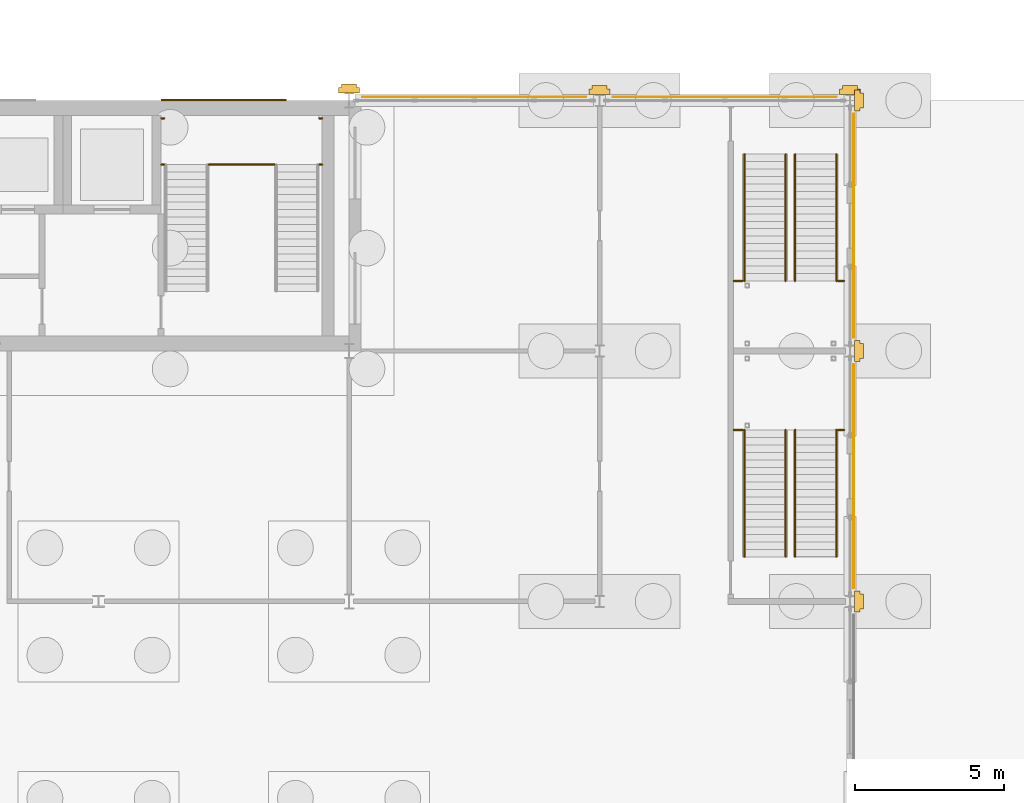
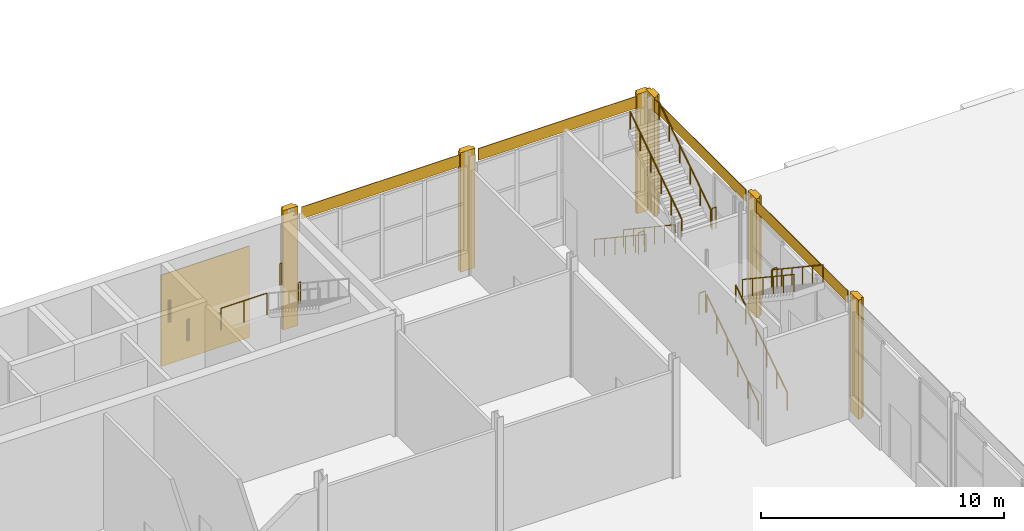
# One storey, part 207 of 212: 17 railings, 11 coverings.
"""IFC4 building model written with IfcOpenShell, lengths in metres."""

import ifcopenshell
import ifcopenshell.guid

model = None  # the IFC model being written
_history = None  # IfcOwnerHistory: only IFC2X3 demands one
_inside = {}  # id of a spatial element -> (the spatial element, [elements in it])
_under = {}  # id of a project, library or spatial element -> (it, [spatial elements below it])
_declared = {}  # id of a project -> (the project, [libraries it declares])
_typed = {}  # id of a type object -> (the type object, [elements of that type])
_made_of = {}  # id of a material, layer set ... -> (it, [elements and type objects made of it])


def new_model(schema):
    """Start an empty IFC model of exactly this schema.

    Asked for "IFC4X3", IfcOpenShell would pick the latest addendum, in which some entities
    have other attributes; the version numbers below select the first issue.
    IFC2X3 requires an IfcOwnerHistory on every rooted entity: one is made here for all.
    """
    global model, _history
    if schema == "IFC4X3":
        model = ifcopenshell.file(schema_version=(4, 3, 0, 0))
    else:
        model = ifcopenshell.file(schema=schema)
    _inside.clear()
    _under.clear()
    _declared.clear()
    _typed.clear()
    _made_of.clear()
    _history = None
    if model.schema == "IFC2X3":
        org = make("IfcOrganization", Name="unknown")
        user = make(
            "IfcPersonAndOrganization",
            ThePerson=make("IfcPerson", FamilyName="unknown"),
            TheOrganization=org,
        )
        app = make(
            "IfcApplication",
            ApplicationDeveloper=org,
            Version="unknown",
            ApplicationFullName="unknown",
            ApplicationIdentifier="unknown",
        )
        _history = make(
            "IfcOwnerHistory",
            OwningUser=user,
            OwningApplication=app,
            ChangeAction="ADDED",
            CreationDate=0,
        )
    return model


def make(cls, **values):
    """One entity of the class cls with the attributes given. An attribute that is None is left unset."""
    return model.create_entity(
        cls, **{name: value for name, value in values.items() if value is not None}
    )


def rooted(cls, **values):
    """An entity with a GlobalId (a new one), such as an element, a storey or a relation."""
    return make(cls, GlobalId=ifcopenshell.guid.new(), OwnerHistory=_history, **values)


def si_unit(unit_type, name, prefix=None):
    """IfcSIUnit, for example si_unit("LENGTHUNIT", "METRE", prefix="MILLI")."""
    return make("IfcSIUnit", UnitType=unit_type, Prefix=prefix, Name=name)


def assignment(units):
    """IfcUnitAssignment: the units of a project."""
    return None if units is None else make("IfcUnitAssignment", Units=units)


def point(xyz):
    """IfcCartesianPoint."""
    return None if xyz is None else make("IfcCartesianPoint", Coordinates=xyz)


def direction(xyz):
    """IfcDirection."""
    return None if xyz is None else make("IfcDirection", DirectionRatios=xyz)


def frame(location, z_axis=None, x_axis=None):
    """IfcAxis2Placement3D, a coordinate frame: its origin and axes. An axis left out is left unset."""
    return make(
        "IfcAxis2Placement3D",
        Location=point(location),
        Axis=direction(z_axis),
        RefDirection=direction(x_axis),
    )


def frame_2d(location, x_axis=None):
    """IfcAxis2Placement2D, a coordinate frame in the plane: its origin and x axis."""
    return make(
        "IfcAxis2Placement2D", Location=point(location), RefDirection=direction(x_axis)
    )


def origin():
    """The frame at (0, 0, 0) with its axes left unset."""
    return frame((0.0, 0.0, 0.0))


def origin_2d():
    """The frame at (0, 0) in the plane with its x axis left unset."""
    return frame_2d((0.0, 0.0))


def place(relative_to, where):
    """IfcLocalPlacement: puts the frame where relative to a parent placement (None: the world)."""
    return make(
        "IfcLocalPlacement", PlacementRelTo=relative_to, RelativePlacement=where
    )


def context(
    kind, dimensions, precision=None, world=None, true_north=None, identifier=None
):
    """IfcGeometricRepresentationContext, for example the 3D "Model" context."""
    return make(
        "IfcGeometricRepresentationContext",
        ContextIdentifier=identifier,
        ContextType=kind,
        CoordinateSpaceDimension=dimensions,
        Precision=precision,
        WorldCoordinateSystem=world,
        TrueNorth=true_north,
    )


def subcontext(parent, identifier, kind, view, scale=None):
    """IfcGeometricRepresentationSubContext, for example "Body" below "Model"."""
    return make(
        "IfcGeometricRepresentationSubContext",
        ContextIdentifier=identifier,
        ContextType=kind,
        ParentContext=parent,
        TargetScale=scale,
        TargetView=view,
    )


def project(units=None, contexts=None):
    """IfcProject with its units and contexts."""
    return rooted(
        "IfcProject",
        Name="project",
        RepresentationContexts=contexts,
        UnitsInContext=assignment(units),
    )


def spatial(cls, under=None, at=None, **own):
    """A site, building, storey or space (cls), placed at a placement, below another one or the project."""
    s = rooted(cls, ObjectPlacement=at, **own)
    if under is not None:
        _under.setdefault(under.id(), (under, []))[1].append(s)
    return s


def polyline(points):
    """IfcPolyline through the points."""
    return make("IfcPolyline", Points=[point(p) for p in points])


def profile(cls, at=None, kind="AREA", **sizes):
    """A parametric profile (cls). Its sizes go by their IFC names, for example OverallWidth=200.0."""
    return make(cls, ProfileType=kind, Position=at, **sizes)


def rectangle(**sizes):
    """IfcRectangleProfileDef."""
    return profile("IfcRectangleProfileDef", **sizes)


def circle(**sizes):
    """IfcCircleProfileDef."""
    return profile("IfcCircleProfileDef", **sizes)


def outline(outer, holes=None, kind="AREA"):
    """IfcArbitraryClosedProfileDef: a profile drawn as a closed curve; with holes, ...WithVoids."""
    if holes is None:
        return make("IfcArbitraryClosedProfileDef", ProfileType=kind, OuterCurve=outer)
    return make(
        "IfcArbitraryProfileDefWithVoids",
        ProfileType=kind,
        OuterCurve=outer,
        InnerCurves=holes,
    )


def extrude(swept, where, along, depth):
    """IfcExtrudedAreaSolid: the profile swept, set in the frame where, extruded along a direction by depth."""
    return make(
        "IfcExtrudedAreaSolid",
        SweptArea=swept,
        Position=where,
        ExtrudedDirection=direction(along),
        Depth=depth,
    )


def shape(context_of_items, identifier, shape_type, items):
    """IfcShapeRepresentation: the items that make up one representation, for example the "Body"."""
    return make(
        "IfcShapeRepresentation",
        ContextOfItems=context_of_items,
        RepresentationIdentifier=identifier,
        RepresentationType=shape_type,
        Items=items,
    )


def material(Name=None, Category=None):
    """IfcMaterial."""
    return make("IfcMaterial", Name=Name, Category=Category)


def layer(
    of_material, thickness, ventilated=None, Name=None, Category=None, Priority=None
):
    """IfcMaterialLayer: one layer of a wall or slab, of a material (None: an air gap)."""
    return make(
        "IfcMaterialLayer",
        Material=of_material,
        LayerThickness=thickness,
        IsVentilated=ventilated,
        Name=Name,
        Category=Category,
        Priority=Priority,
    )


def layer_set(layers, Name=None):
    """IfcMaterialLayerSet."""
    return make("IfcMaterialLayerSet", MaterialLayers=layers, LayerSetName=Name)


def made_of(thing, what):
    """Note that an element or type object is made of a material, layer set ...; save() writes the relation."""
    if what is not None:
        _made_of.setdefault(what.id(), (what, []))[1].append(thing)
    return thing


def type_object(cls, material=None, **own):
    """A type object (cls), such as IfcWallType, which elements share."""
    return made_of(rooted(cls, **own), material)


def element(
    cls,
    number,
    at=None,
    inside=None,
    cuts=None,
    type_object=None,
    material=None,
    context=None,
    identifier="Body",
    shape_type=None,
    held_by="IfcProductDefinitionShape",
    body=None,
    shapes=None,
    **own,
):
    """One element of the class cls, such as IfcWall. Its Tag is "e" and its number.

    at: its placement. inside: the storey or other place that contains it. cuts: it is an
    opening in that element (IfcRelVoidsElement). A single representation is given by context,
    identifier, shape_type and body (its items); several are given by shapes. held_by: the class
    of the entity that holds the representations. save() writes the other relations.
    """
    e = rooted(cls, Tag="e%d" % number, ObjectPlacement=at, **own)
    if body is not None:
        shapes = [shape(context, identifier, shape_type, body)]
    if shapes is not None:
        e.Representation = make(held_by, Representations=shapes)
    if inside is not None:
        _inside.setdefault(inside.id(), (inside, []))[1].append(e)
    if cuts is not None:
        rooted(
            "IfcRelVoidsElement", RelatingBuildingElement=cuts, RelatedOpeningElement=e
        )
    if type_object is not None:
        _typed.setdefault(type_object.id(), (type_object, []))[1].append(e)
    return made_of(e, material)


def aggregate(whole, parts):
    """IfcRelAggregates: a whole, such as a stair, and the parts it consists of."""
    return rooted("IfcRelAggregates", RelatingObject=whole, RelatedObjects=parts)


def save(model, path):
    """Write the relations noted so far, then the file.

    IfcRelAggregates (storeys below a building ...), IfcRelContainedInSpatialStructure (elements
    in a storey), IfcRelDefinesByType, IfcRelAssociatesMaterial and IfcRelDeclares: one each for
    every whole, place, type object, material and project.
    """
    for whole, parts in _under.values():
        aggregate(whole, parts)
    for where, things in _inside.values():
        rooted(
            "IfcRelContainedInSpatialStructure",
            RelatedElements=things,
            RelatingStructure=where,
        )
    for kind, things in _typed.values():
        rooted("IfcRelDefinesByType", RelatedObjects=things, RelatingType=kind)
    for what, things in _made_of.values():
        rooted("IfcRelAssociatesMaterial", RelatedObjects=things, RelatingMaterial=what)
    for by, libraries in _declared.values():
        rooted("IfcRelDeclares", RelatingContext=by, RelatedDefinitions=libraries)
    model.write(path)


model = new_model("IFC4")

# Units and contexts
model_context = context("Model", 3, precision=1e-05, world=origin(), true_north=direction((0.0, 1.0)))
body_context = subcontext(model_context, "Body", "Model", "MODEL_VIEW")
ifc_project = project(units=[si_unit("LENGTHUNIT", "METRE"), si_unit("AREAUNIT", "SQUARE_METRE"), si_unit("VOLUMEUNIT", "CUBIC_METRE"), si_unit("PLANEANGLEUNIT", "RADIAN"), si_unit("MASSUNIT", "GRAM", prefix="KILO")], contexts=[model_context])

# Site, building, storey
site_placement = place(None, origin())
site = spatial("IfcSite", under=ifc_project, at=site_placement, CompositionType="ELEMENT")
building_placement = place(site_placement, origin())
building = spatial("IfcBuilding", under=site, at=building_placement, Name="Catenary Quay Ferry Terminal", CompositionType="ELEMENT")
storey_placement = place(building_placement, origin())
storey = spatial("IfcBuildingStorey", under=building, at=storey_placement, Name="L00", CompositionType="ELEMENT", Elevation=0.0)

# Coverings
ifc_material_1 = material(Name="Ceramic tile")
ifc_layer_1 = layer(ifc_material_1, 0.0400390625)
ifc_layer_set_1 = layer_set([ifc_layer_1], Name="CL2")
covering_type_1 = type_object("IfcCoveringType", Name="CL2", PredefinedType="CLADDING", material=ifc_layer_set_1)
covering_1_placement = place(storey_placement, origin())
element("IfcCovering", 1, at=covering_1_placement, inside=storey, type_object=covering_type_1, Name="Ceramic pier casing", PredefinedType="CLADDING", context=body_context, shape_type="SweptSolid", body=[
    extrude(outline(polyline([(50.75, 210.25), (50.75, 210.429931640625), (50.64990234375, 210.429931640625), (50.64990234375, 210.550048828125), (50.14990234375, 210.550048828125), (50.14990234375, 210.429931640625), (50.050048828125, 210.429931640625), (50.050048828125, 210.25), (50.75, 210.25)])), origin(), (0.0, 0.0, 1.0), 6.0),
])
covering_2_placement = place(storey_placement, origin())
element("IfcCovering", 2, at=covering_2_placement, inside=storey, type_object=covering_type_1, Name="Ceramic pier casing", PredefinedType="CLADDING", context=body_context, shape_type="SweptSolid", body=[
    extrude(outline(polyline([(59.14990234375, 210.199951171875), (59.14990234375, 210.3798828125), (59.050048828125, 210.3798828125), (59.050048828125, 210.5), (58.550048828125, 210.5), (58.550048828125, 210.3798828125), (58.449951171875, 210.3798828125), (58.449951171875, 210.199951171875), (59.14990234375, 210.199951171875)])), origin(), (0.0, 0.0, 1.0), 6.0),
])
covering_3_placement = place(storey_placement, origin())
element("IfcCovering", 3, at=covering_3_placement, inside=storey, type_object=covering_type_1, Name="Ceramic pier casing", PredefinedType="CLADDING", context=body_context, shape_type="SweptSolid", body=[
    extrude(outline(polyline([(67.35009765625, 192.85009765625), (67.530029296875, 192.85009765625), (67.530029296875, 192.949951171875), (67.64990234375, 192.949951171875), (67.64990234375, 193.449951171875), (67.530029296875, 193.449951171875), (67.530029296875, 193.550048828125), (67.35009765625, 193.550048828125), (67.35009765625, 192.85009765625)])), origin(), (0.0, 0.0, 1.0), 6.0),
])
covering_4_placement = place(storey_placement, origin())
element("IfcCovering", 4, at=covering_4_placement, inside=storey, type_object=covering_type_1, Name="Ceramic pier casing", PredefinedType="CLADDING", context=body_context, shape_type="SweptSolid", body=[
    extrude(outline(polyline([(67.35009765625, 201.25), (67.530029296875, 201.25), (67.530029296875, 201.35009765625), (67.64990234375, 201.35009765625), (67.64990234375, 201.85009765625), (67.530029296875, 201.85009765625), (67.530029296875, 201.949951171875), (67.35009765625, 201.949951171875), (67.35009765625, 201.25)])), origin(), (0.0, 0.0, 1.0), 6.0),
])
covering_5_placement = place(storey_placement, origin())
element("IfcCovering", 5, at=covering_5_placement, inside=storey, type_object=covering_type_1, Name="Ceramic pier casing", PredefinedType="CLADDING", context=body_context, shape_type="SweptSolid", body=[
    extrude(outline(polyline([(67.35009765625, 209.64990234375), (67.530029296875, 209.64990234375), (67.530029296875, 209.75), (67.64990234375, 209.75), (67.64990234375, 210.25), (67.530029296875, 210.25), (67.530029296875, 210.35009765625), (67.35009765625, 210.35009765625), (67.35009765625, 209.64990234375)])), origin(), (0.0, 0.0, 1.0), 6.0),
])
covering_6_placement = place(storey_placement, origin())
element("IfcCovering", 6, at=covering_6_placement, inside=storey, type_object=covering_type_1, Name="Ceramic pier casing", PredefinedType="CLADDING", context=body_context, shape_type="SweptSolid", body=[
    extrude(outline(polyline([(67.550048828125, 210.199951171875), (67.550048828125, 210.3798828125), (67.449951171875, 210.3798828125), (67.449951171875, 210.5), (66.949951171875, 210.5), (66.949951171875, 210.3798828125), (66.85009765625, 210.3798828125), (66.85009765625, 210.199951171875), (67.550048828125, 210.199951171875)])), origin(), (0.0, 0.0, 1.0), 6.0),
])
ifc_material_2 = material(Name="Ceramic tile")
ifc_layer_2 = layer(ifc_material_2, 0.034912109375)
ifc_layer_set_2 = layer_set([ifc_layer_2], Name="CL5")
covering_type_2 = type_object("IfcCoveringType", Name="CL5", PredefinedType="CLADDING", material=ifc_layer_set_2)
covering_7_placement = place(storey_placement, frame((46.199951171875, 210.017578125, 0.39990234375), z_axis=(0.0, 0.0, 1.0), x_axis=(1.0, 0.0, 0.0)))
element("IfcCovering", 7, at=covering_7_placement, inside=storey, type_object=covering_type_2, Name="Core h210.0 cladding CV293", PredefinedType="CLADDING", context=body_context, shape_type="SweptSolid", body=[
    extrude(rectangle(XDim=4.199951171875, YDim=0.034912109375, at=origin_2d()), origin(), (0.0, 0.0, 1.0), 4.60009765625),
])
ifc_material_3 = material(Name="Glazed ceramic tile, ochre")
ifc_layer_3 = layer(ifc_material_3, 0.030029296875)
ifc_layer_set_3 = layer_set([ifc_layer_3], Name="CL6")
covering_type_3 = type_object("IfcCoveringType", Name="CL6", PredefinedType="CLADDING", material=ifc_layer_set_3)
for number, where, z_axis, x_axis, name in (
    (8, (67.3193359375, 197.39990234375, 5.39990234375), (0.0, 0.0, 1.0), (1.0, 0.0, 0.0), "Band wing v67.2 cladding CV289"),
    (9, (67.3193359375, 205.800048828125, 5.39990234375), (0.0, 0.0, 1.0), (1.0, 0.0, 0.0), "Band wing v67.2 cladding CV290"),
):
    element("IfcCovering", number, at=place(storey_placement, frame(where, z_axis=z_axis, x_axis=x_axis)), inside=storey, type_object=covering_type_3, Name=name, PredefinedType="CLADDING", context=body_context, shape_type="SweptSolid", body=[
        extrude(rectangle(XDim=0.030029296875, YDim=7.5, at=origin_2d()), origin(), (0.0, 0.0, 1.0), 0.60009765625),
    ])
for number, where, z_axis, x_axis, name in (
    (10, (54.60009765625, 210.119384765625, 5.39990234375), (0.0, 0.0, 1.0), (1.0, 0.0, 0.0), "Band wing h210.0 cladding CV294"),
    (11, (63.0, 210.119384765625, 5.39990234375), (0.0, 0.0, 1.0), (1.0, 0.0, 0.0), "Band wing h210.0 cladding CV295"),
):
    element("IfcCovering", number, at=place(storey_placement, frame(where, z_axis=z_axis, x_axis=x_axis)), inside=storey, type_object=covering_type_3, Name=name, PredefinedType="CLADDING", context=body_context, shape_type="SweptSolid", body=[
        extrude(rectangle(XDim=7.5, YDim=0.030029296875, at=origin_2d()), origin(), (0.0, 0.0, 1.0), 0.60009765625),
    ])

# Railings
ifc_material_4 = material(Name="Steel and glass", Category="steel")
railing_type_1 = type_object("IfcRailingType", Name="GI1", PredefinedType="GUARDRAIL", material=ifc_material_4)
railing_1_placement = place(storey_placement, frame((45.699951171875, 207.85009765625, 3.0)))
element("IfcRailing", 12, at=railing_1_placement, inside=storey, type_object=railing_type_1, Name="HS1 landing guard GI70", PredefinedType="GUARDRAIL", context=body_context, shape_type="SweptSolid", body=[
    extrude(circle(Radius=0.02392578125, at=origin_2d()), frame((0.0, 0.0, 1.076171875), z_axis=(1.0, 0.0, 0.0), x_axis=(0.0, 1.0, 0.0)), (0.0, 0.0, 1.0), 2.199951171875),
    extrude(circle(Radius=0.02099609375, at=origin_2d()), origin(), (0.0, 0.0, 1.0), 1.052001953125),
    extrude(circle(Radius=0.02099609375, at=origin_2d()), frame((1.10009765625, 0.0, 0.0)), (0.0, 0.0, 1.0), 1.052001953125),
    extrude(circle(Radius=0.02099609375, at=origin_2d()), frame((2.199951171875, 0.0, 0.0)), (0.0, 0.0, 1.0), 1.052001953125),
])
railing_2_placement = place(storey_placement, frame((49.5, 207.85009765625, 3.0)))
element("IfcRailing", 13, at=railing_2_placement, inside=storey, type_object=railing_type_1, Name="HS1 strip 0 guard GI71", PredefinedType="GUARDRAIL", context=body_context, shape_type="SweptSolid", body=[
    extrude(circle(Radius=0.02392578125, at=origin_2d()), frame((0.0, 0.0, 1.076171875), z_axis=(-1.0, 0.0, 0.0), x_axis=(0.0, -1.0, 0.0)), (0.0, 0.0, 1.0), 0.099853515625),
    extrude(circle(Radius=0.02099609375, at=origin_2d()), origin(), (0.0, 0.0, 1.0), 1.052001953125),
    extrude(circle(Radius=0.02099609375, at=origin_2d()), frame((-0.099853515625, 0.0, 0.0)), (0.0, 0.0, 1.0), 1.052001953125),
])
for number, where, name in (
    (14, (49.400146484375, 209.39990234375, 3.0), "HS1 strip 0 guard GI72"),
    (15, (44.10009765625, 209.39990234375, 3.0), "HS1 strip 0 guard GI73"),
):
    element("IfcRailing", number, at=place(storey_placement, frame(where)), inside=storey, type_object=railing_type_1, Name=name, PredefinedType="GUARDRAIL", context=body_context, shape_type="SweptSolid", body=[
        extrude(circle(Radius=0.02392578125, at=origin_2d()), frame((0.0, 0.0, 1.076171875), z_axis=(1.0, 0.0, 0.0), x_axis=(0.0, 1.0, 0.0)), (0.0, 0.0, 1.0), 0.099853515625),
        extrude(circle(Radius=0.02099609375, at=origin_2d()), origin(), (0.0, 0.0, 1.0), 1.052001953125),
        extrude(circle(Radius=0.02099609375, at=origin_2d()), frame((0.099853515625, 0.0, 0.0)), (0.0, 0.0, 1.0), 1.052001953125),
    ])
railing_3_placement = place(storey_placement, frame((44.199951171875, 207.85009765625, 3.0)))
element("IfcRailing", 16, at=railing_3_placement, inside=storey, type_object=railing_type_1, Name="HS1 strip 0 guard GI74", PredefinedType="GUARDRAIL", context=body_context, shape_type="SweptSolid", body=[
    extrude(circle(Radius=0.02392578125, at=origin_2d()), frame((0.0, 0.0, 1.076171875), z_axis=(-1.0, 0.0, 0.0), x_axis=(0.0, -1.0, 0.0)), (0.0, 0.0, 1.0), 0.099853515625),
    extrude(circle(Radius=0.02099609375, at=origin_2d()), origin(), (0.0, 0.0, 1.0), 1.052001953125),
    extrude(circle(Radius=0.02099609375, at=origin_2d()), frame((-0.099853515625, 0.0, 0.0)), (0.0, 0.0, 1.0), 1.052001953125),
])
railing_4_placement = place(storey_placement, frame((63.599853515625, 198.949951171875, 3.0)))
element("IfcRailing", 17, at=railing_4_placement, inside=storey, type_object=railing_type_1, Name="HS4 strip 0 guard GI215", PredefinedType="GUARDRAIL", context=body_context, shape_type="SweptSolid", body=[
    extrude(circle(Radius=0.02392578125, at=origin_2d()), frame((0.0, 0.0, 1.076171875), z_axis=(-1.0, 0.0, 0.0), x_axis=(0.0, -1.0, 0.0)), (0.0, 0.0, 1.0), 0.2998046875),
    extrude(circle(Radius=0.02099609375, at=origin_2d()), origin(), (0.0, 0.0, 1.0), 1.052001953125),
    extrude(circle(Radius=0.02099609375, at=origin_2d()), frame((-0.2998046875, 0.0, 0.0)), (0.0, 0.0, 1.0), 1.052001953125),
])
railing_5_placement = place(storey_placement, frame((67.0, 198.949951171875, 3.0)))
element("IfcRailing", 18, at=railing_5_placement, inside=storey, type_object=railing_type_1, Name="HS4 strip 0 guard GI216", PredefinedType="GUARDRAIL", context=body_context, shape_type="SweptSolid", body=[
    extrude(circle(Radius=0.02392578125, at=origin_2d()), frame((0.0, 0.0, 1.076171875), z_axis=(-1.0, 0.0, 0.0), x_axis=(0.0, -1.0, 0.0)), (0.0, 0.0, 1.0), 0.199951171875),
    extrude(circle(Radius=0.02099609375, at=origin_2d()), origin(), (0.0, 0.0, 1.0), 1.052001953125),
    extrude(circle(Radius=0.02099609375, at=origin_2d()), frame((-0.199951171875, 0.0, 0.0)), (0.0, 0.0, 1.0), 1.052001953125),
])
railing_6_placement = place(storey_placement, frame((63.300048828125, 203.949951171875, 3.0)))
element("IfcRailing", 19, at=railing_6_placement, inside=storey, type_object=railing_type_1, Name="HS5 strip 0 guard GI247", PredefinedType="GUARDRAIL", context=body_context, shape_type="SweptSolid", body=[
    extrude(circle(Radius=0.02392578125, at=origin_2d()), frame((0.0, 0.0, 1.076171875), z_axis=(1.0, 0.0, 0.0), x_axis=(0.0, 1.0, 0.0)), (0.0, 0.0, 1.0), 0.2998046875),
    extrude(circle(Radius=0.02099609375, at=origin_2d()), origin(), (0.0, 0.0, 1.0), 1.052001953125),
    extrude(circle(Radius=0.02099609375, at=origin_2d()), frame((0.2998046875, 0.0, 0.0)), (0.0, 0.0, 1.0), 1.052001953125),
])
railing_7_placement = place(storey_placement, frame((66.800048828125, 203.949951171875, 3.0)))
element("IfcRailing", 20, at=railing_7_placement, inside=storey, type_object=railing_type_1, Name="HS5 strip 0 guard GI248", PredefinedType="GUARDRAIL", context=body_context, shape_type="SweptSolid", body=[
    extrude(circle(Radius=0.02392578125, at=origin_2d()), frame((0.0, 0.0, 1.076171875), z_axis=(1.0, 0.0, 0.0), x_axis=(0.0, 1.0, 0.0)), (0.0, 0.0, 1.0), 0.199951171875),
    extrude(circle(Radius=0.02099609375, at=origin_2d()), origin(), (0.0, 0.0, 1.0), 1.052001953125),
    extrude(circle(Radius=0.02099609375, at=origin_2d()), frame((0.199951171875, 0.0, 0.0)), (0.0, 0.0, 1.0), 1.052001953125),
])
ifc_material_5 = material(Name="Stainless steel", Category="steel")
railing_type_2 = type_object("IfcRailingType", Name="HR1", PredefinedType="HANDRAIL", material=ifc_material_5)
for number, where, name in (
    (21, (63.659912109375, 194.699951171875, 0.166748046875), "HS4 F1A handrail HR210"),
    (22, (65.0400390625, 194.699951171875, 0.166748046875), "HS4 F1B handrail HR211"),
):
    element("IfcRailing", number, at=place(storey_placement, frame(where)), inside=storey, type_object=railing_type_2, Name=name, PredefinedType="HANDRAIL", context=body_context, shape_type="SweptSolid", body=[
        extrude(circle(Radius=0.02392578125, at=origin_2d()), frame((0.0, 0.0, 0.8759765625), z_axis=(0.0, 0.832057647715, 0.554689166001), x_axis=(-1.0, 0.0, 0.0)), (0.0, 0.0, 1.0), 5.10791015625),
        extrude(circle(Radius=0.02099609375, at=origin_2d()), origin(), (0.0, 0.0, 1.0), 0.851806640625),
        extrude(circle(Radius=0.02099609375, at=origin_2d()), frame((0.0, 0.85009765625, 0.566650390625)), (0.0, 0.0, 1.0), 0.851806640625),
        extrude(circle(Radius=0.02099609375, at=origin_2d()), frame((0.0, 1.699951171875, 1.13330078125)), (0.0, 0.0, 1.0), 0.851806640625),
        extrude(circle(Radius=0.02099609375, at=origin_2d()), frame((0.0, 2.550048828125, 1.699951171875)), (0.0, 0.0, 1.0), 0.851806640625),
        extrude(circle(Radius=0.02099609375, at=origin_2d()), frame((0.0, 3.39990234375, 2.2666015625)), (0.0, 0.0, 1.0), 0.851806640625),
        extrude(circle(Radius=0.02099609375, at=origin_2d()), frame((0.0, 4.25, 2.833251953125)), (0.0, 0.0, 1.0), 0.851806640625),
    ])
for number, where, name in (
    (23, (65.360107421875, 198.949951171875, 3.166748046875), "HS4 F2A handrail HR212"),
    (24, (66.739990234375, 198.949951171875, 3.166748046875), "HS4 F2B handrail HR213"),
    (25, (63.659912109375, 208.199951171875, 0.166748046875), "HS5 F1A handrail HR242"),
    (26, (65.0400390625, 208.199951171875, 0.166748046875), "HS5 F1B handrail HR243"),
):
    element("IfcRailing", number, at=place(storey_placement, frame(where)), inside=storey, type_object=railing_type_2, Name=name, PredefinedType="HANDRAIL", context=body_context, shape_type="SweptSolid", body=[
        extrude(circle(Radius=0.02392578125, at=origin_2d()), frame((0.0, 0.0, 0.8759765625), z_axis=(0.0, -0.832057647715, 0.554689166001), x_axis=(1.0, 0.0, 0.0)), (0.0, 0.0, 1.0), 5.10791015625),
        extrude(circle(Radius=0.02099609375, at=origin_2d()), origin(), (0.0, 0.0, 1.0), 0.851806640625),
        extrude(circle(Radius=0.02099609375, at=origin_2d()), frame((0.0, -0.85009765625, 0.566650390625)), (0.0, 0.0, 1.0), 0.851806640625),
        extrude(circle(Radius=0.02099609375, at=origin_2d()), frame((0.0, -1.699951171875, 1.13330078125)), (0.0, 0.0, 1.0), 0.851806640625),
        extrude(circle(Radius=0.02099609375, at=origin_2d()), frame((0.0, -2.550048828125, 1.699951171875)), (0.0, 0.0, 1.0), 0.851806640625),
        extrude(circle(Radius=0.02099609375, at=origin_2d()), frame((0.0, -3.39990234375, 2.2666015625)), (0.0, 0.0, 1.0), 0.851806640625),
        extrude(circle(Radius=0.02099609375, at=origin_2d()), frame((0.0, -4.25, 2.833251953125)), (0.0, 0.0, 1.0), 0.851806640625),
    ])
for number, where, name in (
    (27, (65.360107421875, 203.949951171875, 3.166748046875), "HS5 F2A handrail HR244"),
    (28, (66.739990234375, 203.949951171875, 3.166748046875), "HS5 F2B handrail HR245"),
):
    element("IfcRailing", number, at=place(storey_placement, frame(where)), inside=storey, type_object=railing_type_2, Name=name, PredefinedType="HANDRAIL", context=body_context, shape_type="SweptSolid", body=[
        extrude(circle(Radius=0.02392578125, at=origin_2d()), frame((0.0, 0.0, 0.8759765625), z_axis=(0.0, 0.832057647715, 0.554689166001), x_axis=(-1.0, 0.0, 0.0)), (0.0, 0.0, 1.0), 5.10791015625),
        extrude(circle(Radius=0.02099609375, at=origin_2d()), origin(), (0.0, 0.0, 1.0), 0.851806640625),
        extrude(circle(Radius=0.02099609375, at=origin_2d()), frame((0.0, 0.85009765625, 0.566650390625)), (0.0, 0.0, 1.0), 0.851806640625),
        extrude(circle(Radius=0.02099609375, at=origin_2d()), frame((0.0, 1.699951171875, 1.13330078125)), (0.0, 0.0, 1.0), 0.851806640625),
        extrude(circle(Radius=0.02099609375, at=origin_2d()), frame((0.0, 2.550048828125, 1.699951171875)), (0.0, 0.0, 1.0), 0.851806640625),
        extrude(circle(Radius=0.02099609375, at=origin_2d()), frame((0.0, 3.39990234375, 2.2666015625)), (0.0, 0.0, 1.0), 0.851806640625),
        extrude(circle(Radius=0.02099609375, at=origin_2d()), frame((0.0, 4.25, 2.833251953125)), (0.0, 0.0, 1.0), 0.851806640625),
    ])

save(model, "model.ifc")
